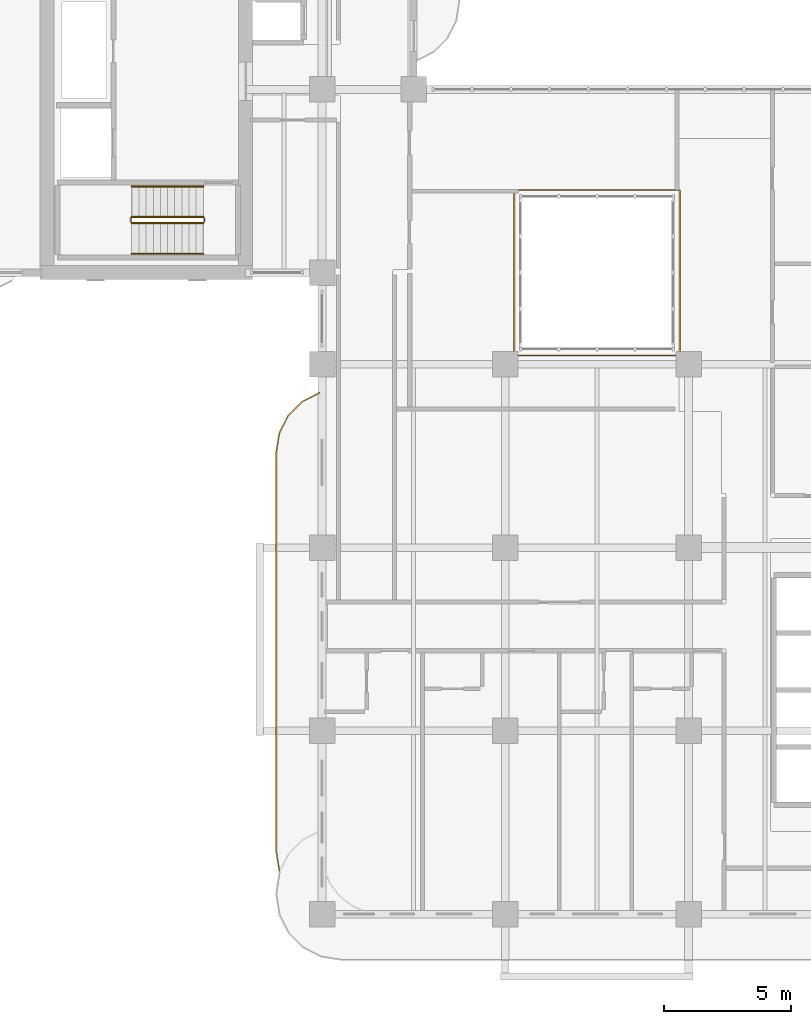
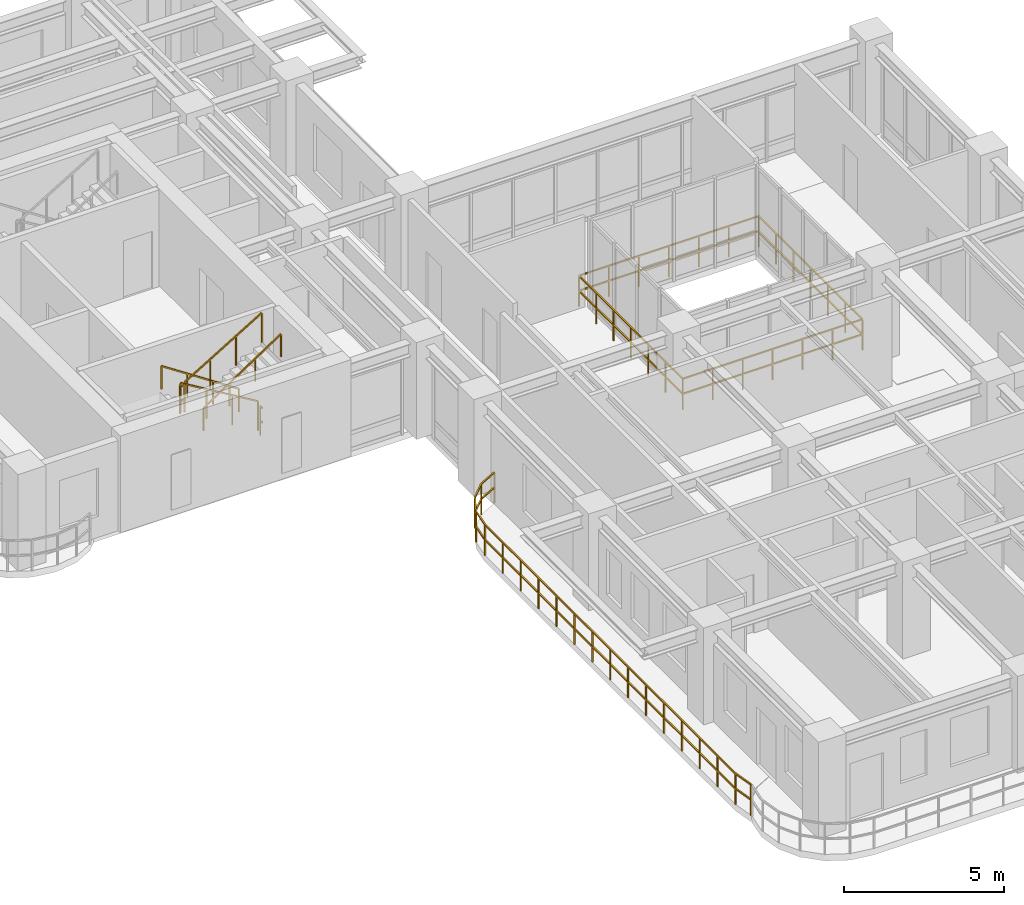
# One storey, part 17 of 20: 8 railings.
"""IFC4 building model written with IfcOpenShell, lengths in metres."""

import ifcopenshell
import ifcopenshell.guid

model = None  # the IFC model being written
_history = None  # IfcOwnerHistory: only IFC2X3 demands one
_inside = {}  # id of a spatial element -> (the spatial element, [elements in it])
_under = {}  # id of a project, library or spatial element -> (it, [spatial elements below it])
_declared = {}  # id of a project -> (the project, [libraries it declares])
_typed = {}  # id of a type object -> (the type object, [elements of that type])
_made_of = {}  # id of a material, layer set ... -> (it, [elements and type objects made of it])


def new_model(schema):
    """Start an empty IFC model of exactly this schema.

    Asked for "IFC4X3", IfcOpenShell would pick the latest addendum, in which some entities
    have other attributes; the version numbers below select the first issue.
    IFC2X3 requires an IfcOwnerHistory on every rooted entity: one is made here for all.
    """
    global model, _history
    if schema == "IFC4X3":
        model = ifcopenshell.file(schema_version=(4, 3, 0, 0))
    else:
        model = ifcopenshell.file(schema=schema)
    _inside.clear()
    _under.clear()
    _declared.clear()
    _typed.clear()
    _made_of.clear()
    _history = None
    if model.schema == "IFC2X3":
        org = make("IfcOrganization", Name="unknown")
        user = make(
            "IfcPersonAndOrganization",
            ThePerson=make("IfcPerson", FamilyName="unknown"),
            TheOrganization=org,
        )
        app = make(
            "IfcApplication",
            ApplicationDeveloper=org,
            Version="unknown",
            ApplicationFullName="unknown",
            ApplicationIdentifier="unknown",
        )
        _history = make(
            "IfcOwnerHistory",
            OwningUser=user,
            OwningApplication=app,
            ChangeAction="ADDED",
            CreationDate=0,
        )
    return model


def make(cls, **values):
    """One entity of the class cls with the attributes given. An attribute that is None is left unset."""
    return model.create_entity(
        cls, **{name: value for name, value in values.items() if value is not None}
    )


def rooted(cls, **values):
    """An entity with a GlobalId (a new one), such as an element, a storey or a relation."""
    return make(cls, GlobalId=ifcopenshell.guid.new(), OwnerHistory=_history, **values)


def si_unit(unit_type, name, prefix=None):
    """IfcSIUnit, for example si_unit("LENGTHUNIT", "METRE", prefix="MILLI")."""
    return make("IfcSIUnit", UnitType=unit_type, Prefix=prefix, Name=name)


def derived_unit(unit_type, elements):
    """IfcDerivedUnit: a product of units, each with its exponent."""
    return make(
        "IfcDerivedUnit",
        Elements=[
            make("IfcDerivedUnitElement", Unit=unit, Exponent=power)
            for unit, power in elements
        ],
        UnitType=unit_type,
    )


def assignment(units):
    """IfcUnitAssignment: the units of a project."""
    return None if units is None else make("IfcUnitAssignment", Units=units)


def point(xyz):
    """IfcCartesianPoint."""
    return None if xyz is None else make("IfcCartesianPoint", Coordinates=xyz)


def direction(xyz):
    """IfcDirection."""
    return None if xyz is None else make("IfcDirection", DirectionRatios=xyz)


def frame(location, z_axis=None, x_axis=None):
    """IfcAxis2Placement3D, a coordinate frame: its origin and axes. An axis left out is left unset."""
    return make(
        "IfcAxis2Placement3D",
        Location=point(location),
        Axis=direction(z_axis),
        RefDirection=direction(x_axis),
    )


def frame_2d(location, x_axis=None):
    """IfcAxis2Placement2D, a coordinate frame in the plane: its origin and x axis."""
    return make(
        "IfcAxis2Placement2D", Location=point(location), RefDirection=direction(x_axis)
    )


def origin():
    """The frame at (0, 0, 0) with its axes left unset."""
    return frame((0.0, 0.0, 0.0))


def origin_2d():
    """The frame at (0, 0) in the plane with its x axis left unset."""
    return frame_2d((0.0, 0.0))


def place(relative_to, where):
    """IfcLocalPlacement: puts the frame where relative to a parent placement (None: the world)."""
    return make(
        "IfcLocalPlacement", PlacementRelTo=relative_to, RelativePlacement=where
    )


def context(
    kind, dimensions, precision=None, world=None, true_north=None, identifier=None
):
    """IfcGeometricRepresentationContext, for example the 3D "Model" context."""
    return make(
        "IfcGeometricRepresentationContext",
        ContextIdentifier=identifier,
        ContextType=kind,
        CoordinateSpaceDimension=dimensions,
        Precision=precision,
        WorldCoordinateSystem=world,
        TrueNorth=true_north,
    )


def subcontext(parent, identifier, kind, view, scale=None):
    """IfcGeometricRepresentationSubContext, for example "Body" below "Model"."""
    return make(
        "IfcGeometricRepresentationSubContext",
        ContextIdentifier=identifier,
        ContextType=kind,
        ParentContext=parent,
        TargetScale=scale,
        TargetView=view,
    )


def project(units=None, contexts=None):
    """IfcProject with its units and contexts."""
    return rooted(
        "IfcProject",
        Name="project",
        RepresentationContexts=contexts,
        UnitsInContext=assignment(units),
    )


def spatial(cls, under=None, at=None, **own):
    """A site, building, storey or space (cls), placed at a placement, below another one or the project."""
    s = rooted(cls, ObjectPlacement=at, **own)
    if under is not None:
        _under.setdefault(under.id(), (under, []))[1].append(s)
    return s


def profile(cls, at=None, kind="AREA", **sizes):
    """A parametric profile (cls). Its sizes go by their IFC names, for example OverallWidth=200.0."""
    return make(cls, ProfileType=kind, Position=at, **sizes)


def rectangle(**sizes):
    """IfcRectangleProfileDef."""
    return profile("IfcRectangleProfileDef", **sizes)


def extrude(swept, where, along, depth):
    """IfcExtrudedAreaSolid: the profile swept, set in the frame where, extruded along a direction by depth."""
    return make(
        "IfcExtrudedAreaSolid",
        SweptArea=swept,
        Position=where,
        ExtrudedDirection=direction(along),
        Depth=depth,
    )


def shape(context_of_items, identifier, shape_type, items):
    """IfcShapeRepresentation: the items that make up one representation, for example the "Body"."""
    return make(
        "IfcShapeRepresentation",
        ContextOfItems=context_of_items,
        RepresentationIdentifier=identifier,
        RepresentationType=shape_type,
        Items=items,
    )


def material(Name=None, Category=None):
    """IfcMaterial."""
    return make("IfcMaterial", Name=Name, Category=Category)


def made_of(thing, what):
    """Note that an element or type object is made of a material, layer set ...; save() writes the relation."""
    if what is not None:
        _made_of.setdefault(what.id(), (what, []))[1].append(thing)
    return thing


def type_object(cls, material=None, **own):
    """A type object (cls), such as IfcWallType, which elements share."""
    return made_of(rooted(cls, **own), material)


def element(
    cls,
    number,
    at=None,
    inside=None,
    cuts=None,
    type_object=None,
    material=None,
    context=None,
    identifier="Body",
    shape_type=None,
    held_by="IfcProductDefinitionShape",
    body=None,
    shapes=None,
    **own,
):
    """One element of the class cls, such as IfcWall. Its Tag is "e" and its number.

    at: its placement. inside: the storey or other place that contains it. cuts: it is an
    opening in that element (IfcRelVoidsElement). A single representation is given by context,
    identifier, shape_type and body (its items); several are given by shapes. held_by: the class
    of the entity that holds the representations. save() writes the other relations.
    """
    e = rooted(cls, Tag="e%d" % number, ObjectPlacement=at, **own)
    if body is not None:
        shapes = [shape(context, identifier, shape_type, body)]
    if shapes is not None:
        e.Representation = make(held_by, Representations=shapes)
    if inside is not None:
        _inside.setdefault(inside.id(), (inside, []))[1].append(e)
    if cuts is not None:
        rooted(
            "IfcRelVoidsElement", RelatingBuildingElement=cuts, RelatedOpeningElement=e
        )
    if type_object is not None:
        _typed.setdefault(type_object.id(), (type_object, []))[1].append(e)
    return made_of(e, material)


def aggregate(whole, parts):
    """IfcRelAggregates: a whole, such as a stair, and the parts it consists of."""
    return rooted("IfcRelAggregates", RelatingObject=whole, RelatedObjects=parts)


def save(model, path):
    """Write the relations noted so far, then the file.

    IfcRelAggregates (storeys below a building ...), IfcRelContainedInSpatialStructure (elements
    in a storey), IfcRelDefinesByType, IfcRelAssociatesMaterial and IfcRelDeclares: one each for
    every whole, place, type object, material and project.
    """
    for whole, parts in _under.values():
        aggregate(whole, parts)
    for where, things in _inside.values():
        rooted(
            "IfcRelContainedInSpatialStructure",
            RelatedElements=things,
            RelatingStructure=where,
        )
    for kind, things in _typed.values():
        rooted("IfcRelDefinesByType", RelatedObjects=things, RelatingType=kind)
    for what, things in _made_of.values():
        rooted("IfcRelAssociatesMaterial", RelatedObjects=things, RelatingMaterial=what)
    for by, libraries in _declared.values():
        rooted("IfcRelDeclares", RelatingContext=by, RelatedDefinitions=libraries)
    model.write(path)


model = new_model("IFC4")

# Units and contexts
model_context = context("Model", 3, precision=1e-05, world=origin(), true_north=direction((0.0, 1.0)))
body_context = subcontext(model_context, "Body", "Model", "MODEL_VIEW")
ifc_project = project(units=[si_unit("LENGTHUNIT", "METRE"), si_unit("AREAUNIT", "SQUARE_METRE"), si_unit("VOLUMEUNIT", "CUBIC_METRE"), si_unit("PLANEANGLEUNIT", "RADIAN"), si_unit("MASSUNIT", "GRAM", prefix="KILO"), si_unit("THERMODYNAMICTEMPERATUREUNIT", "KELVIN"), si_unit("POWERUNIT", "WATT"), derived_unit("THERMALTRANSMITTANCEUNIT", [(si_unit("POWERUNIT", "WATT"), 1), (si_unit("AREAUNIT", "SQUARE_METRE"), -1), (si_unit("THERMODYNAMICTEMPERATUREUNIT", "KELVIN"), -1)])], contexts=[model_context])

# Site, building, storey
site_placement = place(None, origin())
site = spatial("IfcSite", under=ifc_project, at=site_placement, CompositionType="ELEMENT")
building_placement = place(site_placement, origin())
building = spatial("IfcBuilding", under=site, at=building_placement, Name="Zahravan Archway Hotel and Residences", CompositionType="ELEMENT")
storey_placement = place(building_placement, frame((0.0, 0.0, 119.199951171875)))
storey = spatial("IfcBuildingStorey", under=building, at=storey_placement, Name="L29", CompositionType="ELEMENT", Elevation=119.199951171875)

# Railings
ifc_material_1 = material(Name="Atrium Laminated Glass Guardrail", Category="glass")
railing_type_1 = type_object("IfcRailingType", Name="RL-ATR-1200", PredefinedType="BALUSTRADE", material=ifc_material_1)
railing_1_placement = place(storey_placement, frame((21.949951171875, 21.949951171875, 0.0)))
element("IfcRailing", 1, at=railing_1_placement, inside=storey, type_object=railing_type_1, Name="L29 Balustrade RL-ATR-L29", PredefinedType="BALUSTRADE", context=body_context, shape_type="SweptSolid", body=[
    extrude(rectangle(XDim=0.048095703125, YDim=0.048095703125, at=origin_2d()), frame((0.0, 0.0, 1.17578125), z_axis=(1.0, 0.0, 0.0), x_axis=(0.0, 1.0, 0.0)), (0.0, 0.0, 1.0), 6.5),
    extrude(rectangle(XDim=0.048095703125, YDim=0.048095703125, at=origin_2d()), frame((0.0, 0.0, 0.60009765625), z_axis=(1.0, 0.0, 0.0), x_axis=(0.0, 1.0, 0.0)), (0.0, 0.0, 1.0), 6.5),
    extrude(rectangle(XDim=0.048095703125, YDim=0.048095703125, at=origin_2d()), frame((6.5, 0.0, 1.17578125), z_axis=(0.0, 1.0, 0.0), x_axis=(-1.0, 0.0, 0.0)), (0.0, 0.0, 1.0), 6.5),
    extrude(rectangle(XDim=0.048095703125, YDim=0.048095703125, at=origin_2d()), frame((6.5, 0.0, 0.60009765625), z_axis=(0.0, 1.0, 0.0), x_axis=(-1.0, 0.0, 0.0)), (0.0, 0.0, 1.0), 6.5),
    extrude(rectangle(XDim=0.048095703125, YDim=0.048095703125, at=origin_2d()), frame((6.5, 6.5, 1.17578125), z_axis=(-1.0, 0.0, 0.0), x_axis=(0.0, -1.0, 0.0)), (0.0, 0.0, 1.0), 6.5),
    extrude(rectangle(XDim=0.048095703125, YDim=0.048095703125, at=origin_2d()), frame((6.5, 6.5, 0.60009765625), z_axis=(-1.0, 0.0, 0.0), x_axis=(0.0, -1.0, 0.0)), (0.0, 0.0, 1.0), 6.5),
    extrude(rectangle(XDim=0.048095703125, YDim=0.048095703125, at=origin_2d()), frame((0.0, 6.5, 1.17578125), z_axis=(0.0, -1.0, 0.0), x_axis=(1.0, 0.0, 0.0)), (0.0, 0.0, 1.0), 6.5),
    extrude(rectangle(XDim=0.048095703125, YDim=0.048095703125, at=origin_2d()), frame((0.0, 6.5, 0.60009765625), z_axis=(0.0, -1.0, 0.0), x_axis=(1.0, 0.0, 0.0)), (0.0, 0.0, 1.0), 6.5),
    extrude(rectangle(XDim=0.0419921875, YDim=0.0419921875, at=origin_2d()), origin(), (0.0, 0.0, 1.0), 1.15185546875),
    extrude(rectangle(XDim=0.0419921875, YDim=0.0419921875, at=origin_2d()), frame((1.083251953125, 0.0, 0.0)), (0.0, 0.0, 1.0), 1.15185546875),
    extrude(rectangle(XDim=0.0419921875, YDim=0.0419921875, at=origin_2d()), frame((2.166748046875, 0.0, 0.0)), (0.0, 0.0, 1.0), 1.15185546875),
    extrude(rectangle(XDim=0.0419921875, YDim=0.0419921875, at=origin_2d()), frame((3.25, 0.0, 0.0)), (0.0, 0.0, 1.0), 1.15185546875),
    extrude(rectangle(XDim=0.0419921875, YDim=0.0419921875, at=origin_2d()), frame((4.333251953125, 0.0, 0.0)), (0.0, 0.0, 1.0), 1.15185546875),
    extrude(rectangle(XDim=0.0419921875, YDim=0.0419921875, at=origin_2d()), frame((5.416748046875, 0.0, 0.0)), (0.0, 0.0, 1.0), 1.15185546875),
    extrude(rectangle(XDim=0.0419921875, YDim=0.0419921875, at=origin_2d()), frame((6.5, 0.0, 0.0)), (0.0, 0.0, 1.0), 1.15185546875),
    extrude(rectangle(XDim=0.0419921875, YDim=0.0419921875, at=origin_2d()), frame((6.5, 1.083251953125, 0.0)), (0.0, 0.0, 1.0), 1.15185546875),
    extrude(rectangle(XDim=0.0419921875, YDim=0.0419921875, at=origin_2d()), frame((6.5, 2.166748046875, 0.0)), (0.0, 0.0, 1.0), 1.15185546875),
    extrude(rectangle(XDim=0.0419921875, YDim=0.0419921875, at=origin_2d()), frame((6.5, 3.25, 0.0)), (0.0, 0.0, 1.0), 1.15185546875),
    extrude(rectangle(XDim=0.0419921875, YDim=0.0419921875, at=origin_2d()), frame((6.5, 4.333251953125, 0.0)), (0.0, 0.0, 1.0), 1.15185546875),
    extrude(rectangle(XDim=0.0419921875, YDim=0.0419921875, at=origin_2d()), frame((6.5, 5.416748046875, 0.0)), (0.0, 0.0, 1.0), 1.15185546875),
    extrude(rectangle(XDim=0.0419921875, YDim=0.0419921875, at=origin_2d()), frame((6.5, 6.5, 0.0)), (0.0, 0.0, 1.0), 1.15185546875),
    extrude(rectangle(XDim=0.0419921875, YDim=0.0419921875, at=origin_2d()), frame((5.416748046875, 6.5, 0.0)), (0.0, 0.0, 1.0), 1.15185546875),
    extrude(rectangle(XDim=0.0419921875, YDim=0.0419921875, at=origin_2d()), frame((4.333251953125, 6.5, 0.0)), (0.0, 0.0, 1.0), 1.15185546875),
    extrude(rectangle(XDim=0.0419921875, YDim=0.0419921875, at=origin_2d()), frame((3.25, 6.5, 0.0)), (0.0, 0.0, 1.0), 1.15185546875),
    extrude(rectangle(XDim=0.0419921875, YDim=0.0419921875, at=origin_2d()), frame((2.166748046875, 6.5, 0.0)), (0.0, 0.0, 1.0), 1.15185546875),
    extrude(rectangle(XDim=0.0419921875, YDim=0.0419921875, at=origin_2d()), frame((1.083251953125, 6.5, 0.0)), (0.0, 0.0, 1.0), 1.15185546875),
    extrude(rectangle(XDim=0.0419921875, YDim=0.0419921875, at=origin_2d()), frame((0.0, 6.5, 0.0)), (0.0, 0.0, 1.0), 1.15185546875),
    extrude(rectangle(XDim=0.0419921875, YDim=0.0419921875, at=origin_2d()), frame((0.0, 5.416748046875, 0.0)), (0.0, 0.0, 1.0), 1.15185546875),
    extrude(rectangle(XDim=0.0419921875, YDim=0.0419921875, at=origin_2d()), frame((0.0, 4.333251953125, 0.0)), (0.0, 0.0, 1.0), 1.15185546875),
    extrude(rectangle(XDim=0.0419921875, YDim=0.0419921875, at=origin_2d()), frame((0.0, 3.25, 0.0)), (0.0, 0.0, 1.0), 1.15185546875),
    extrude(rectangle(XDim=0.0419921875, YDim=0.0419921875, at=origin_2d()), frame((0.0, 2.166748046875, 0.0)), (0.0, 0.0, 1.0), 1.15185546875),
    extrude(rectangle(XDim=0.0419921875, YDim=0.0419921875, at=origin_2d()), frame((0.0, 1.083251953125, 0.0)), (0.0, 0.0, 1.0), 1.15185546875),
])
ifc_material_2 = material(Name="Bronze & Laminated Glass Balustrade", Category="glass")
railing_type_2 = type_object("IfcRailingType", Name="RL-BAL-1200", PredefinedType="BALUSTRADE", material=ifc_material_2)
railing_2_placement = place(storey_placement, frame((12.719970703125, 1.69287109375, 0.0)))
element("IfcRailing", 2, at=railing_2_placement, inside=storey, type_object=railing_type_2, Name="L29 Balustrade RL-SLB-BAL-L29-WA-1", PredefinedType="BALUSTRADE", context=body_context, shape_type="SweptSolid", body=[
    extrude(rectangle(XDim=0.048095703125, YDim=0.048095703125, at=origin_2d()), frame((0.0, 0.0, 1.17578125), z_axis=(-0.156387811283, 0.987695728695, 0.0), x_axis=(-0.987695728695, -0.156387811283, 0.0)), (0.0, 0.0, 1.0), 0.7666015625),
    extrude(rectangle(XDim=0.048095703125, YDim=0.048095703125, at=origin_2d()), frame((0.0, 0.0, 0.60009765625), z_axis=(-0.156387811283, 0.987695728695, 0.0), x_axis=(-0.987695728695, -0.156387811283, 0.0)), (0.0, 0.0, 1.0), 0.7666015625),
    extrude(rectangle(XDim=0.048095703125, YDim=0.048095703125, at=origin_2d()), frame((-0.119873046875, 0.757080078125, 1.17578125), z_axis=(0.0, 1.0, 0.0), x_axis=(-1.0, 0.0, 0.0)), (0.0, 0.0, 1.0), 15.699951171875),
    extrude(rectangle(XDim=0.048095703125, YDim=0.048095703125, at=origin_2d()), frame((-0.119873046875, 0.757080078125, 0.60009765625), z_axis=(0.0, 1.0, 0.0), x_axis=(-1.0, 0.0, 0.0)), (0.0, 0.0, 1.0), 15.699951171875),
    extrude(rectangle(XDim=0.048095703125, YDim=0.048095703125, at=origin_2d()), frame((-0.119873046875, 16.45703125, 1.17578125), z_axis=(0.156387811283, 0.987695728695, 0.0), x_axis=(-0.987695728695, 0.156387811283, 0.0)), (0.0, 0.0, 1.0), 0.7666015625),
    extrude(rectangle(XDim=0.048095703125, YDim=0.048095703125, at=origin_2d()), frame((-0.119873046875, 16.45703125, 0.60009765625), z_axis=(0.156387811283, 0.987695728695, 0.0), x_axis=(-0.987695728695, 0.156387811283, 0.0)), (0.0, 0.0, 1.0), 0.7666015625),
    extrude(rectangle(XDim=0.048095703125, YDim=0.048095703125, at=origin_2d()), frame((0.0, 17.214111328125, 1.17578125), z_axis=(0.453825591531, 0.891090529897, 0.0), x_axis=(-0.891090529897, 0.453825591531, 0.0)), (0.0, 0.0, 1.0), 0.7666015625),
    extrude(rectangle(XDim=0.048095703125, YDim=0.048095703125, at=origin_2d()), frame((0.0, 17.214111328125, 0.60009765625), z_axis=(0.453825591531, 0.891090529897, 0.0), x_axis=(-0.891090529897, 0.453825591531, 0.0)), (0.0, 0.0, 1.0), 0.7666015625),
    extrude(rectangle(XDim=0.048095703125, YDim=0.048095703125, at=origin_2d()), frame((0.347900390625, 17.897216796875, 1.17578125), z_axis=(0.707106781187, 0.707106781187, 0.0), x_axis=(-0.707106781187, 0.707106781187, 0.0)), (0.0, 0.0, 1.0), 0.7666015625),
    extrude(rectangle(XDim=0.048095703125, YDim=0.048095703125, at=origin_2d()), frame((0.347900390625, 17.897216796875, 0.60009765625), z_axis=(0.707106781187, 0.707106781187, 0.0), x_axis=(-0.707106781187, 0.707106781187, 0.0)), (0.0, 0.0, 1.0), 0.7666015625),
    extrude(rectangle(XDim=0.048095703125, YDim=0.048095703125, at=origin_2d()), frame((0.889892578125, 18.439208984375, 1.17578125), z_axis=(0.891090529897, 0.453825591531, 0.0), x_axis=(-0.453825591531, 0.891090529897, 0.0)), (0.0, 0.0, 1.0), 0.7666015625),
    extrude(rectangle(XDim=0.048095703125, YDim=0.048095703125, at=origin_2d()), frame((0.889892578125, 18.439208984375, 0.60009765625), z_axis=(0.891090529897, 0.453825591531, 0.0), x_axis=(-0.453825591531, 0.891090529897, 0.0)), (0.0, 0.0, 1.0), 0.7666015625),
    extrude(rectangle(XDim=0.0419921875, YDim=0.0419921875, at=origin_2d()), origin(), (0.0, 0.0, 1.0), 1.15185546875),
    extrude(rectangle(XDim=0.0419921875, YDim=0.0419921875, at=origin_2d()), frame((-0.119873046875, 0.757080078125, 0.0)), (0.0, 0.0, 1.0), 1.15185546875),
    extrude(rectangle(XDim=0.0419921875, YDim=0.0419921875, at=origin_2d()), frame((-0.119873046875, 1.87841796875, 0.0)), (0.0, 0.0, 1.0), 1.15185546875),
    extrude(rectangle(XDim=0.0419921875, YDim=0.0419921875, at=origin_2d()), frame((-0.119873046875, 3.0, 0.0)), (0.0, 0.0, 1.0), 1.15185546875),
    extrude(rectangle(XDim=0.0419921875, YDim=0.0419921875, at=origin_2d()), frame((-0.119873046875, 4.121337890625, 0.0)), (0.0, 0.0, 1.0), 1.15185546875),
    extrude(rectangle(XDim=0.0419921875, YDim=0.0419921875, at=origin_2d()), frame((-0.119873046875, 5.24267578125, 0.0)), (0.0, 0.0, 1.0), 1.15185546875),
    extrude(rectangle(XDim=0.0419921875, YDim=0.0419921875, at=origin_2d()), frame((-0.119873046875, 6.3642578125, 0.0)), (0.0, 0.0, 1.0), 1.15185546875),
    extrude(rectangle(XDim=0.0419921875, YDim=0.0419921875, at=origin_2d()), frame((-0.119873046875, 7.485595703125, 0.0)), (0.0, 0.0, 1.0), 1.15185546875),
    extrude(rectangle(XDim=0.0419921875, YDim=0.0419921875, at=origin_2d()), frame((-0.119873046875, 8.60693359375, 0.0)), (0.0, 0.0, 1.0), 1.15185546875),
    extrude(rectangle(XDim=0.0419921875, YDim=0.0419921875, at=origin_2d()), frame((-0.119873046875, 9.728515625, 0.0)), (0.0, 0.0, 1.0), 1.15185546875),
    extrude(rectangle(XDim=0.0419921875, YDim=0.0419921875, at=origin_2d()), frame((-0.119873046875, 10.849853515625, 0.0)), (0.0, 0.0, 1.0), 1.15185546875),
    extrude(rectangle(XDim=0.0419921875, YDim=0.0419921875, at=origin_2d()), frame((-0.119873046875, 11.971435546875, 0.0)), (0.0, 0.0, 1.0), 1.15185546875),
    extrude(rectangle(XDim=0.0419921875, YDim=0.0419921875, at=origin_2d()), frame((-0.119873046875, 13.0927734375, 0.0)), (0.0, 0.0, 1.0), 1.15185546875),
    extrude(rectangle(XDim=0.0419921875, YDim=0.0419921875, at=origin_2d()), frame((-0.119873046875, 14.214111328125, 0.0)), (0.0, 0.0, 1.0), 1.15185546875),
    extrude(rectangle(XDim=0.0419921875, YDim=0.0419921875, at=origin_2d()), frame((-0.119873046875, 15.335693359375, 0.0)), (0.0, 0.0, 1.0), 1.15185546875),
    extrude(rectangle(XDim=0.0419921875, YDim=0.0419921875, at=origin_2d()), frame((-0.119873046875, 16.45703125, 0.0)), (0.0, 0.0, 1.0), 1.15185546875),
    extrude(rectangle(XDim=0.0419921875, YDim=0.0419921875, at=origin_2d()), frame((0.0, 17.214111328125, 0.0)), (0.0, 0.0, 1.0), 1.15185546875),
    extrude(rectangle(XDim=0.0419921875, YDim=0.0419921875, at=origin_2d()), frame((0.347900390625, 17.897216796875, 0.0)), (0.0, 0.0, 1.0), 1.15185546875),
    extrude(rectangle(XDim=0.0419921875, YDim=0.0419921875, at=origin_2d()), frame((0.889892578125, 18.439208984375, 0.0)), (0.0, 0.0, 1.0), 1.15185546875),
    extrude(rectangle(XDim=0.0419921875, YDim=0.0419921875, at=origin_2d()), frame((1.572998046875, 18.787109375, 0.0)), (0.0, 0.0, 1.0), 1.15185546875),
])
ifc_material_3 = material(Name="Painted Tubular Steel", Category="steel")
railing_type_3 = type_object("IfcRailingType", Name="RL-STG-1150", PredefinedType="GUARDRAIL", material=ifc_material_3)
railing_3_placement = place(storey_placement, frame((9.72998046875, 27.389892578125, 0.168212890625)))
element("IfcRailing", 3, at=railing_3_placement, inside=storey, type_object=railing_type_3, Name="L29 ST-B1 stair guard 1", PredefinedType="GUARDRAIL", context=body_context, shape_type="SweptSolid", body=[
    extrude(rectangle(XDim=0.048095703125, YDim=0.048095703125, at=origin_2d()), frame((0.0, 0.0, 1.1259765625), z_axis=(-0.857242210791, 0.0, 0.514913383045), x_axis=(0.0, -1.0, 0.0)), (0.0, 0.0, 1.0), 3.266357421875),
    extrude(rectangle(XDim=0.0419921875, YDim=0.0419921875, at=origin_2d()), origin(), (0.0, 0.0, 1.0), 1.101806640625),
    extrude(rectangle(XDim=0.0419921875, YDim=0.0419921875, at=origin_2d()), frame((-0.933349609375, 0.0, 0.560546875)), (0.0, 0.0, 1.0), 1.101806640625),
    extrude(rectangle(XDim=0.0419921875, YDim=0.0419921875, at=origin_2d()), frame((-1.86669921875, 0.0, 1.121337890625)), (0.0, 0.0, 1.0), 1.101806640625),
    extrude(rectangle(XDim=0.0419921875, YDim=0.0419921875, at=origin_2d()), frame((-2.800048828125, 0.0, 1.681884765625)), (0.0, 0.0, 1.0), 1.101806640625),
])
railing_4_placement = place(storey_placement, frame((6.8798828125, 27.340087890625, 1.85009765625)))
element("IfcRailing", 4, at=railing_4_placement, inside=storey, type_object=railing_type_3, Name="L29 ST-B1 stair guard 2", PredefinedType="GUARDRAIL", context=body_context, shape_type="SweptSolid", body=[
    extrude(rectangle(XDim=0.048095703125, YDim=0.048095703125, at=origin_2d()), frame((0.0, 0.0, 1.1259765625), z_axis=(0.0, -1.0, 0.0), x_axis=(1.0, 0.0, 0.0)), (0.0, 0.0, 1.0), 0.14013671875),
    extrude(rectangle(XDim=0.048095703125, YDim=0.048095703125, at=origin_2d()), frame((0.0, 0.0, 0.574951171875), z_axis=(0.0, -1.0, 0.0), x_axis=(1.0, 0.0, 0.0)), (0.0, 0.0, 1.0), 0.14013671875),
    extrude(rectangle(XDim=0.0419921875, YDim=0.0419921875, at=origin_2d()), origin(), (0.0, 0.0, 1.0), 1.101806640625),
])
railing_5_placement = place(storey_placement, frame((6.929931640625, 27.14990234375, 2.018310546875)))
element("IfcRailing", 5, at=railing_5_placement, inside=storey, type_object=railing_type_3, Name="L29 ST-B1 stair guard 3", PredefinedType="GUARDRAIL", context=body_context, shape_type="SweptSolid", body=[
    extrude(rectangle(XDim=0.048095703125, YDim=0.048095703125, at=origin_2d()), frame((0.0, 0.0, 1.1259765625), z_axis=(0.857275202839, 0.0, 0.514858452973), x_axis=(0.0, 1.0, 0.0)), (0.0, 0.0, 1.0), 3.26611328125),
    extrude(rectangle(XDim=0.0419921875, YDim=0.0419921875, at=origin_2d()), origin(), (0.0, 0.0, 1.0), 1.101806640625),
    extrude(rectangle(XDim=0.0419921875, YDim=0.0419921875, at=origin_2d()), frame((0.933349609375, 0.0, 0.560546875)), (0.0, 0.0, 1.0), 1.101806640625),
    extrude(rectangle(XDim=0.0419921875, YDim=0.0419921875, at=origin_2d()), frame((1.86669921875, 0.0, 1.12109375)), (0.0, 0.0, 1.0), 1.101806640625),
    extrude(rectangle(XDim=0.0419921875, YDim=0.0419921875, at=origin_2d()), frame((2.800048828125, 0.0, 1.681640625)), (0.0, 0.0, 1.0), 1.101806640625),
])
railing_6_placement = place(storey_placement, frame((9.780029296875, 27.340087890625, 0.0)))
element("IfcRailing", 6, at=railing_6_placement, inside=storey, type_object=railing_type_3, Name="L29 ST-B1 stair guard 4", PredefinedType="GUARDRAIL", context=body_context, shape_type="SweptSolid", body=[
    extrude(rectangle(XDim=0.048095703125, YDim=0.048095703125, at=origin_2d()), frame((0.0, 0.0, 1.1259765625), z_axis=(0.0, -1.0, 0.0), x_axis=(1.0, 0.0, 0.0)), (0.0, 0.0, 1.0), 0.14013671875),
    extrude(rectangle(XDim=0.048095703125, YDim=0.048095703125, at=origin_2d()), frame((0.0, 0.0, 0.574951171875), z_axis=(0.0, -1.0, 0.0), x_axis=(1.0, 0.0, 0.0)), (0.0, 0.0, 1.0), 0.14013671875),
    extrude(rectangle(XDim=0.0419921875, YDim=0.0419921875, at=origin_2d()), origin(), (0.0, 0.0, 1.0), 1.101806640625),
])
ifc_material_4 = material(Name="Brushed Stainless Steel", Category="steel")
railing_type_4 = type_object("IfcRailingType", Name="RL-STH-900", PredefinedType="HANDRAIL", material=ifc_material_4)
railing_7_placement = place(storey_placement, frame((9.72998046875, 28.590087890625, 0.168212890625)))
element("IfcRailing", 7, at=railing_7_placement, inside=storey, type_object=railing_type_4, Name="L29 ST-B1 stair handrail 1", PredefinedType="HANDRAIL", context=body_context, shape_type="SweptSolid", body=[
    extrude(rectangle(XDim=0.048095703125, YDim=0.048095703125, at=origin_2d()), frame((0.0, 0.0, 0.8759765625), z_axis=(-0.834326358476, 0.0, 0.551270829586), x_axis=(0.0, -1.0, 0.0)), (0.0, 0.0, 1.0), 3.35595703125),
    extrude(rectangle(XDim=0.0419921875, YDim=0.0419921875, at=origin_2d()), origin(), (0.0, 0.0, 1.0), 0.851806640625),
    extrude(rectangle(XDim=0.0419921875, YDim=0.0419921875, at=origin_2d()), frame((-0.933349609375, 0.0, 0.61669921875)), (0.0, 0.0, 1.0), 0.851806640625),
    extrude(rectangle(XDim=0.0419921875, YDim=0.0419921875, at=origin_2d()), frame((-1.86669921875, 0.0, 1.2333984375)), (0.0, 0.0, 1.0), 0.851806640625),
    extrude(rectangle(XDim=0.0419921875, YDim=0.0419921875, at=origin_2d()), frame((-2.800048828125, 0.0, 1.85009765625)), (0.0, 0.0, 1.0), 0.851806640625),
])
railing_8_placement = place(storey_placement, frame((6.929931640625, 25.949951171875, 2.018310546875)))
element("IfcRailing", 8, at=railing_8_placement, inside=storey, type_object=railing_type_4, Name="L29 ST-B1 stair handrail 2", PredefinedType="HANDRAIL", context=body_context, shape_type="SweptSolid", body=[
    extrude(rectangle(XDim=0.048095703125, YDim=0.048095703125, at=origin_2d()), frame((0.0, 0.0, 0.8759765625), z_axis=(0.83435981716, 0.0, 0.551220187865), x_axis=(0.0, 1.0, 0.0)), (0.0, 0.0, 1.0), 3.35595703125),
    extrude(rectangle(XDim=0.0419921875, YDim=0.0419921875, at=origin_2d()), origin(), (0.0, 0.0, 1.0), 0.851806640625),
    extrude(rectangle(XDim=0.0419921875, YDim=0.0419921875, at=origin_2d()), frame((0.933349609375, 0.0, 0.61669921875)), (0.0, 0.0, 1.0), 0.851806640625),
    extrude(rectangle(XDim=0.0419921875, YDim=0.0419921875, at=origin_2d()), frame((1.86669921875, 0.0, 1.233154296875)), (0.0, 0.0, 1.0), 0.851806640625),
    extrude(rectangle(XDim=0.0419921875, YDim=0.0419921875, at=origin_2d()), frame((2.800048828125, 0.0, 1.849853515625)), (0.0, 0.0, 1.0), 0.851806640625),
])

save(model, "model.ifc")
